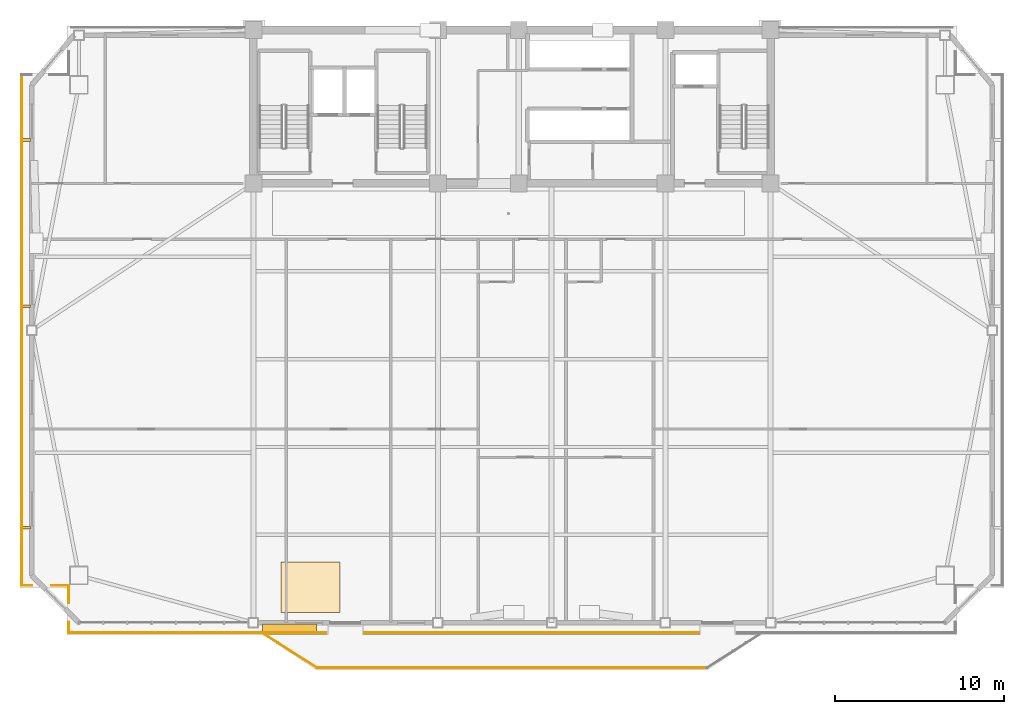
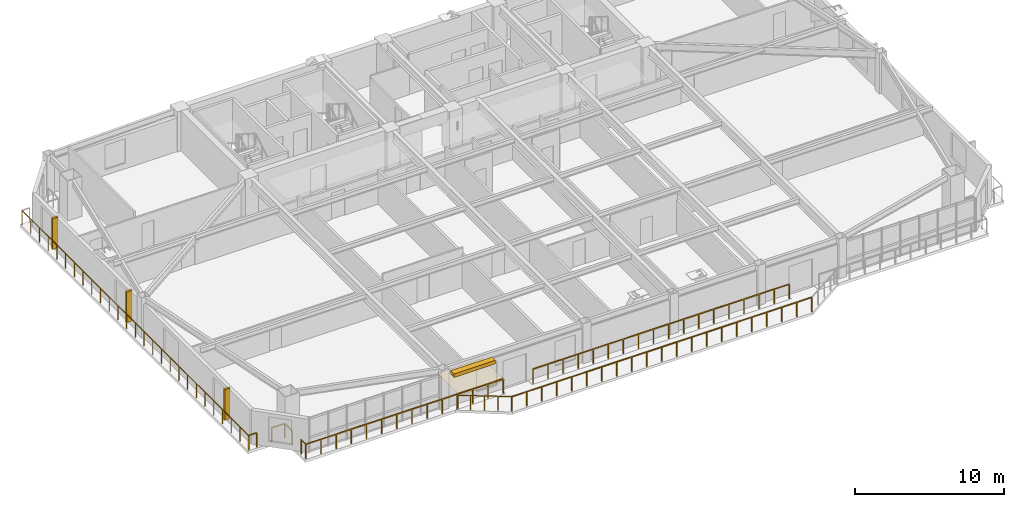
# One storey, part 13 of 17: 9 railings, 4 shading devices, 1 covering.
"""IFC4 building model written with IfcOpenShell, lengths in metres."""

import ifcopenshell
import ifcopenshell.guid

model = None  # the IFC model being written
_history = None  # IfcOwnerHistory: only IFC2X3 demands one
_inside = {}  # id of a spatial element -> (the spatial element, [elements in it])
_under = {}  # id of a project, library or spatial element -> (it, [spatial elements below it])
_declared = {}  # id of a project -> (the project, [libraries it declares])
_typed = {}  # id of a type object -> (the type object, [elements of that type])
_made_of = {}  # id of a material, layer set ... -> (it, [elements and type objects made of it])


def new_model(schema):
    """Start an empty IFC model of exactly this schema.

    Asked for "IFC4X3", IfcOpenShell would pick the latest addendum, in which some entities
    have other attributes; the version numbers below select the first issue.
    IFC2X3 requires an IfcOwnerHistory on every rooted entity: one is made here for all.
    """
    global model, _history
    if schema == "IFC4X3":
        model = ifcopenshell.file(schema_version=(4, 3, 0, 0))
    else:
        model = ifcopenshell.file(schema=schema)
    _inside.clear()
    _under.clear()
    _declared.clear()
    _typed.clear()
    _made_of.clear()
    _history = None
    if model.schema == "IFC2X3":
        org = make("IfcOrganization", Name="unknown")
        user = make(
            "IfcPersonAndOrganization",
            ThePerson=make("IfcPerson", FamilyName="unknown"),
            TheOrganization=org,
        )
        app = make(
            "IfcApplication",
            ApplicationDeveloper=org,
            Version="unknown",
            ApplicationFullName="unknown",
            ApplicationIdentifier="unknown",
        )
        _history = make(
            "IfcOwnerHistory",
            OwningUser=user,
            OwningApplication=app,
            ChangeAction="ADDED",
            CreationDate=0,
        )
    return model


def make(cls, **values):
    """One entity of the class cls with the attributes given. An attribute that is None is left unset."""
    return model.create_entity(
        cls, **{name: value for name, value in values.items() if value is not None}
    )


def rooted(cls, **values):
    """An entity with a GlobalId (a new one), such as an element, a storey or a relation."""
    return make(cls, GlobalId=ifcopenshell.guid.new(), OwnerHistory=_history, **values)


def si_unit(unit_type, name, prefix=None):
    """IfcSIUnit, for example si_unit("LENGTHUNIT", "METRE", prefix="MILLI")."""
    return make("IfcSIUnit", UnitType=unit_type, Prefix=prefix, Name=name)


def assignment(units):
    """IfcUnitAssignment: the units of a project."""
    return None if units is None else make("IfcUnitAssignment", Units=units)


def point(xyz):
    """IfcCartesianPoint."""
    return None if xyz is None else make("IfcCartesianPoint", Coordinates=xyz)


def direction(xyz):
    """IfcDirection."""
    return None if xyz is None else make("IfcDirection", DirectionRatios=xyz)


def frame(location, z_axis=None, x_axis=None):
    """IfcAxis2Placement3D, a coordinate frame: its origin and axes. An axis left out is left unset."""
    return make(
        "IfcAxis2Placement3D",
        Location=point(location),
        Axis=direction(z_axis),
        RefDirection=direction(x_axis),
    )


def frame_2d(location, x_axis=None):
    """IfcAxis2Placement2D, a coordinate frame in the plane: its origin and x axis."""
    return make(
        "IfcAxis2Placement2D", Location=point(location), RefDirection=direction(x_axis)
    )


def origin():
    """The frame at (0, 0, 0) with its axes left unset."""
    return frame((0.0, 0.0, 0.0))


def origin_2d():
    """The frame at (0, 0) in the plane with its x axis left unset."""
    return frame_2d((0.0, 0.0))


def place(relative_to, where):
    """IfcLocalPlacement: puts the frame where relative to a parent placement (None: the world)."""
    return make(
        "IfcLocalPlacement", PlacementRelTo=relative_to, RelativePlacement=where
    )


def context(
    kind, dimensions, precision=None, world=None, true_north=None, identifier=None
):
    """IfcGeometricRepresentationContext, for example the 3D "Model" context."""
    return make(
        "IfcGeometricRepresentationContext",
        ContextIdentifier=identifier,
        ContextType=kind,
        CoordinateSpaceDimension=dimensions,
        Precision=precision,
        WorldCoordinateSystem=world,
        TrueNorth=true_north,
    )


def subcontext(parent, identifier, kind, view, scale=None):
    """IfcGeometricRepresentationSubContext, for example "Body" below "Model"."""
    return make(
        "IfcGeometricRepresentationSubContext",
        ContextIdentifier=identifier,
        ContextType=kind,
        ParentContext=parent,
        TargetScale=scale,
        TargetView=view,
    )


def project(units=None, contexts=None):
    """IfcProject with its units and contexts."""
    return rooted(
        "IfcProject",
        Name="project",
        RepresentationContexts=contexts,
        UnitsInContext=assignment(units),
    )


def spatial(cls, under=None, at=None, **own):
    """A site, building, storey or space (cls), placed at a placement, below another one or the project."""
    s = rooted(cls, ObjectPlacement=at, **own)
    if under is not None:
        _under.setdefault(under.id(), (under, []))[1].append(s)
    return s


def polyline(points):
    """IfcPolyline through the points."""
    return make("IfcPolyline", Points=[point(p) for p in points])


def profile(cls, at=None, kind="AREA", **sizes):
    """A parametric profile (cls). Its sizes go by their IFC names, for example OverallWidth=200.0."""
    return make(cls, ProfileType=kind, Position=at, **sizes)


def rectangle(**sizes):
    """IfcRectangleProfileDef."""
    return profile("IfcRectangleProfileDef", **sizes)


def outline(outer, holes=None, kind="AREA"):
    """IfcArbitraryClosedProfileDef: a profile drawn as a closed curve; with holes, ...WithVoids."""
    if holes is None:
        return make("IfcArbitraryClosedProfileDef", ProfileType=kind, OuterCurve=outer)
    return make(
        "IfcArbitraryProfileDefWithVoids",
        ProfileType=kind,
        OuterCurve=outer,
        InnerCurves=holes,
    )


def extrude(swept, where, along, depth):
    """IfcExtrudedAreaSolid: the profile swept, set in the frame where, extruded along a direction by depth."""
    return make(
        "IfcExtrudedAreaSolid",
        SweptArea=swept,
        Position=where,
        ExtrudedDirection=direction(along),
        Depth=depth,
    )


def shape(context_of_items, identifier, shape_type, items):
    """IfcShapeRepresentation: the items that make up one representation, for example the "Body"."""
    return make(
        "IfcShapeRepresentation",
        ContextOfItems=context_of_items,
        RepresentationIdentifier=identifier,
        RepresentationType=shape_type,
        Items=items,
    )


def source(mapping_origin, context_of_items, identifier, shape_type, items):
    """IfcRepresentationMap: a shape defined once, which mapped items show again and again."""
    return make(
        "IfcRepresentationMap",
        MappingOrigin=mapping_origin,
        MappedRepresentation=shape(context_of_items, identifier, shape_type, items),
    )


def transform(
    local_origin,
    x_axis=None,
    y_axis=None,
    z_axis=None,
    scale=None,
    scale2=None,
    scale3=None,
    uniform=True,
):
    """IfcCartesianTransformationOperator3D, or its non-uniform kind. x_axis, y_axis, z_axis: its Axis1, 2, 3."""
    if uniform:
        return make(
            "IfcCartesianTransformationOperator3D",
            Axis1=direction(x_axis),
            Axis2=direction(y_axis),
            LocalOrigin=point(local_origin),
            Scale=scale,
            Axis3=direction(z_axis),
        )
    return make(
        "IfcCartesianTransformationOperator3DnonUniform",
        Axis1=direction(x_axis),
        Axis2=direction(y_axis),
        LocalOrigin=point(local_origin),
        Scale=scale,
        Axis3=direction(z_axis),
        Scale2=scale2,
        Scale3=scale3,
    )


def mapped(mapping_source, mapping_target):
    """IfcMappedItem: shows the shape of a source again, moved by a transform."""
    return make(
        "IfcMappedItem", MappingSource=mapping_source, MappingTarget=mapping_target
    )


def material(Name=None, Category=None):
    """IfcMaterial."""
    return make("IfcMaterial", Name=Name, Category=Category)


def layer(
    of_material, thickness, ventilated=None, Name=None, Category=None, Priority=None
):
    """IfcMaterialLayer: one layer of a wall or slab, of a material (None: an air gap)."""
    return make(
        "IfcMaterialLayer",
        Material=of_material,
        LayerThickness=thickness,
        IsVentilated=ventilated,
        Name=Name,
        Category=Category,
        Priority=Priority,
    )


def layer_set(layers, Name=None):
    """IfcMaterialLayerSet."""
    return make("IfcMaterialLayerSet", MaterialLayers=layers, LayerSetName=Name)


def made_of(thing, what):
    """Note that an element or type object is made of a material, layer set ...; save() writes the relation."""
    if what is not None:
        _made_of.setdefault(what.id(), (what, []))[1].append(thing)
    return thing


def type_object(cls, material=None, **own):
    """A type object (cls), such as IfcWallType, which elements share."""
    return made_of(rooted(cls, **own), material)


def element(
    cls,
    number,
    at=None,
    inside=None,
    cuts=None,
    type_object=None,
    material=None,
    context=None,
    identifier="Body",
    shape_type=None,
    held_by="IfcProductDefinitionShape",
    body=None,
    shapes=None,
    **own,
):
    """One element of the class cls, such as IfcWall. Its Tag is "e" and its number.

    at: its placement. inside: the storey or other place that contains it. cuts: it is an
    opening in that element (IfcRelVoidsElement). A single representation is given by context,
    identifier, shape_type and body (its items); several are given by shapes. held_by: the class
    of the entity that holds the representations. save() writes the other relations.
    """
    e = rooted(cls, Tag="e%d" % number, ObjectPlacement=at, **own)
    if body is not None:
        shapes = [shape(context, identifier, shape_type, body)]
    if shapes is not None:
        e.Representation = make(held_by, Representations=shapes)
    if inside is not None:
        _inside.setdefault(inside.id(), (inside, []))[1].append(e)
    if cuts is not None:
        rooted(
            "IfcRelVoidsElement", RelatingBuildingElement=cuts, RelatedOpeningElement=e
        )
    if type_object is not None:
        _typed.setdefault(type_object.id(), (type_object, []))[1].append(e)
    return made_of(e, material)


def aggregate(whole, parts):
    """IfcRelAggregates: a whole, such as a stair, and the parts it consists of."""
    return rooted("IfcRelAggregates", RelatingObject=whole, RelatedObjects=parts)


def save(model, path):
    """Write the relations noted so far, then the file.

    IfcRelAggregates (storeys below a building ...), IfcRelContainedInSpatialStructure (elements
    in a storey), IfcRelDefinesByType, IfcRelAssociatesMaterial and IfcRelDeclares: one each for
    every whole, place, type object, material and project.
    """
    for whole, parts in _under.values():
        aggregate(whole, parts)
    for where, things in _inside.values():
        rooted(
            "IfcRelContainedInSpatialStructure",
            RelatedElements=things,
            RelatingStructure=where,
        )
    for kind, things in _typed.values():
        rooted("IfcRelDefinesByType", RelatedObjects=things, RelatingType=kind)
    for what, things in _made_of.values():
        rooted("IfcRelAssociatesMaterial", RelatedObjects=things, RelatingMaterial=what)
    for by, libraries in _declared.values():
        rooted("IfcRelDeclares", RelatingContext=by, RelatedDefinitions=libraries)
    model.write(path)


model = new_model("IFC4")

# Units and contexts
model_context = context("Model", 3, precision=1e-05, world=origin(), true_north=direction((0.0, 1.0)))
body_context = subcontext(model_context, "Body", "Model", "MODEL_VIEW")
ifc_project = project(units=[si_unit("LENGTHUNIT", "METRE"), si_unit("AREAUNIT", "SQUARE_METRE"), si_unit("VOLUMEUNIT", "CUBIC_METRE"), si_unit("PLANEANGLEUNIT", "RADIAN"), si_unit("MASSUNIT", "GRAM", prefix="KILO")], contexts=[model_context])

# Site, building, storey
site_placement = place(None, origin())
site = spatial("IfcSite", under=ifc_project, at=site_placement, CompositionType="ELEMENT")
building_placement = place(site_placement, origin())
building = spatial("IfcBuilding", under=site, at=building_placement, Name="Giltprow Tower", CompositionType="ELEMENT")
storey_placement = place(building_placement, frame((0.0, 0.0, 206.199951171875)))
storey = spatial("IfcBuildingStorey", under=building, at=storey_placement, Name="L52", CompositionType="ELEMENT", Elevation=206.199951171875)

# Covering
ifc_material_1 = material(Name="Engineered oak", Category="wood")
ifc_layer = layer(ifc_material_1, 0.02490234375, Name="Engineered oak")
ifc_layer_set = layer_set([ifc_layer], Name="Engineered oak")
covering_type = type_object("IfcCoveringType", Name="COV-FLR-TIMBER", PredefinedType="FLOORING", material=ifc_layer_set)
covering_placement = place(storey_placement, origin())
element("IfcCovering", 1, at=covering_placement, inside=storey, type_object=covering_type, Name="L52 Engineered Oak Guestroom Flooring", PredefinedType="FLOORING", context=body_context, shape_type="SweptSolid", body=[
    extrude(outline(polyline([(21.5, 11.986083984375), (25.0, 11.986083984375), (25.0, 14.986083984375), (21.5, 14.986083984375), (21.5, 11.986083984375)])), origin(), (0.0, 0.0, 1.0), 0.025146484375),
])

# Railings
ifc_material_2 = material(Name="Anodized bronze", Category="metal")
railing_type = type_object("IfcRailingType", Name="RAIL-BALC-GUARD-1200", PredefinedType="BALUSTRADE", material=ifc_material_2)
railing_1_placement = place(storey_placement, frame((20.52001953125, 10.68603515625, 0.0)))
element("IfcRailing", 2, at=railing_1_placement, inside=storey, type_object=railing_type, Name="L52 Waterfront Balcony Balustrade Seg 1", PredefinedType="BALUSTRADE", context=body_context, shape_type="SweptSolid", body=[
    extrude(rectangle(XDim=0.048095703125, YDim=0.048095703125, at=origin_2d()), frame((0.0, 0.0, 1.17578125), z_axis=(0.84277487735, -0.538266203757, 0.0), x_axis=(0.538266203757, 0.84277487735, 0.0)), (0.0, 0.0, 1.0), 3.678466796875),
    extrude(rectangle(XDim=0.0419921875, YDim=0.0419921875, at=origin_2d()), origin(), (0.0, 0.0, 1.0), 1.15185546875),
    extrude(rectangle(XDim=0.0419921875, YDim=0.0419921875, at=origin_2d()), frame((0.77490234375, -0.4951171875, 0.0)), (0.0, 0.0, 1.0), 1.15185546875),
    extrude(rectangle(XDim=0.0419921875, YDim=0.0419921875, at=origin_2d()), frame((1.550048828125, -0.989990234375, 0.0)), (0.0, 0.0, 1.0), 1.15185546875),
    extrude(rectangle(XDim=0.0419921875, YDim=0.0419921875, at=origin_2d()), frame((2.3251953125, -1.48486328125, 0.0)), (0.0, 0.0, 1.0), 1.15185546875),
    extrude(rectangle(XDim=0.0419921875, YDim=0.0419921875, at=origin_2d()), frame((3.10009765625, -1.97998046875, 0.0)), (0.0, 0.0, 1.0), 1.15185546875),
])
railing_2_placement = place(storey_placement, frame((23.6201171875, 8.7060546875, 0.0)))
element("IfcRailing", 3, at=railing_2_placement, inside=storey, type_object=railing_type, Name="L52 Waterfront Balcony Balustrade Seg 2", PredefinedType="BALUSTRADE", context=body_context, shape_type="SweptSolid", body=[
    extrude(rectangle(XDim=0.048095703125, YDim=0.048095703125, at=origin_2d()), frame((0.0, 0.0, 1.17578125), z_axis=(1.0, 0.0, 0.0), x_axis=(0.0, 1.0, 0.0)), (0.0, 0.0, 1.0), 23.159912109375),
    extrude(rectangle(XDim=0.0419921875, YDim=0.0419921875, at=origin_2d()), origin(), (0.0, 0.0, 1.0), 1.15185546875),
    extrude(rectangle(XDim=0.0419921875, YDim=0.0419921875, at=origin_2d()), frame((1.157958984375, 0.0, 0.0)), (0.0, 0.0, 1.0), 1.15185546875),
    extrude(rectangle(XDim=0.0419921875, YDim=0.0419921875, at=origin_2d()), frame((2.31591796875, 0.0, 0.0)), (0.0, 0.0, 1.0), 1.15185546875),
    extrude(rectangle(XDim=0.0419921875, YDim=0.0419921875, at=origin_2d()), frame((3.473876953125, 0.0, 0.0)), (0.0, 0.0, 1.0), 1.15185546875),
    extrude(rectangle(XDim=0.0419921875, YDim=0.0419921875, at=origin_2d()), frame((4.632080078125, 0.0, 0.0)), (0.0, 0.0, 1.0), 1.15185546875),
    extrude(rectangle(XDim=0.0419921875, YDim=0.0419921875, at=origin_2d()), frame((5.7900390625, 0.0, 0.0)), (0.0, 0.0, 1.0), 1.15185546875),
    extrude(rectangle(XDim=0.0419921875, YDim=0.0419921875, at=origin_2d()), frame((6.947998046875, 0.0, 0.0)), (0.0, 0.0, 1.0), 1.15185546875),
    extrude(rectangle(XDim=0.0419921875, YDim=0.0419921875, at=origin_2d()), frame((8.10595703125, 0.0, 0.0)), (0.0, 0.0, 1.0), 1.15185546875),
    extrude(rectangle(XDim=0.0419921875, YDim=0.0419921875, at=origin_2d()), frame((9.263916015625, 0.0, 0.0)), (0.0, 0.0, 1.0), 1.15185546875),
    extrude(rectangle(XDim=0.0419921875, YDim=0.0419921875, at=origin_2d()), frame((10.421875, 0.0, 0.0)), (0.0, 0.0, 1.0), 1.15185546875),
    extrude(rectangle(XDim=0.0419921875, YDim=0.0419921875, at=origin_2d()), frame((11.580078125, 0.0, 0.0)), (0.0, 0.0, 1.0), 1.15185546875),
    extrude(rectangle(XDim=0.0419921875, YDim=0.0419921875, at=origin_2d()), frame((12.738037109375, 0.0, 0.0)), (0.0, 0.0, 1.0), 1.15185546875),
    extrude(rectangle(XDim=0.0419921875, YDim=0.0419921875, at=origin_2d()), frame((13.89599609375, 0.0, 0.0)), (0.0, 0.0, 1.0), 1.15185546875),
    extrude(rectangle(XDim=0.0419921875, YDim=0.0419921875, at=origin_2d()), frame((15.053955078125, 0.0, 0.0)), (0.0, 0.0, 1.0), 1.15185546875),
    extrude(rectangle(XDim=0.0419921875, YDim=0.0419921875, at=origin_2d()), frame((16.2119140625, 0.0, 0.0)), (0.0, 0.0, 1.0), 1.15185546875),
    extrude(rectangle(XDim=0.0419921875, YDim=0.0419921875, at=origin_2d()), frame((17.369873046875, 0.0, 0.0)), (0.0, 0.0, 1.0), 1.15185546875),
    extrude(rectangle(XDim=0.0419921875, YDim=0.0419921875, at=origin_2d()), frame((18.52783203125, 0.0, 0.0)), (0.0, 0.0, 1.0), 1.15185546875),
    extrude(rectangle(XDim=0.0419921875, YDim=0.0419921875, at=origin_2d()), frame((19.68603515625, 0.0, 0.0)), (0.0, 0.0, 1.0), 1.15185546875),
    extrude(rectangle(XDim=0.0419921875, YDim=0.0419921875, at=origin_2d()), frame((20.843994140625, 0.0, 0.0)), (0.0, 0.0, 1.0), 1.15185546875),
    extrude(rectangle(XDim=0.0419921875, YDim=0.0419921875, at=origin_2d()), frame((22.001953125, 0.0, 0.0)), (0.0, 0.0, 1.0), 1.15185546875),
    extrude(rectangle(XDim=0.0419921875, YDim=0.0419921875, at=origin_2d()), frame((23.159912109375, 0.0, 0.0)), (0.0, 0.0, 1.0), 1.15185546875),
])
railing_3_placement = place(storey_placement, frame((46.25, 10.785888671875, 0.0)))
element("IfcRailing", 4, at=railing_3_placement, inside=storey, type_object=railing_type, Name="L52 Corner Apron Edge Balustrade 7", PredefinedType="BALUSTRADE", context=body_context, shape_type="SweptSolid", body=[
    extrude(rectangle(XDim=0.048095703125, YDim=0.048095703125, at=origin_2d()), frame((0.0, 0.0, 1.17578125), z_axis=(-1.0, 0.0, 0.0), x_axis=(0.0, -1.0, 0.0)), (0.0, 0.0, 1.0), 19.800048828125),
    extrude(rectangle(XDim=0.0419921875, YDim=0.0419921875, at=origin_2d()), origin(), (0.0, 0.0, 1.0), 1.15185546875),
    extrude(rectangle(XDim=0.0419921875, YDim=0.0419921875, at=origin_2d()), frame((-1.164794921875, 0.0, 0.0)), (0.0, 0.0, 1.0), 1.15185546875),
    extrude(rectangle(XDim=0.0419921875, YDim=0.0419921875, at=origin_2d()), frame((-2.329345703125, 0.0, 0.0)), (0.0, 0.0, 1.0), 1.15185546875),
    extrude(rectangle(XDim=0.0419921875, YDim=0.0419921875, at=origin_2d()), frame((-3.494140625, 0.0, 0.0)), (0.0, 0.0, 1.0), 1.15185546875),
    extrude(rectangle(XDim=0.0419921875, YDim=0.0419921875, at=origin_2d()), frame((-4.658935546875, 0.0, 0.0)), (0.0, 0.0, 1.0), 1.15185546875),
    extrude(rectangle(XDim=0.0419921875, YDim=0.0419921875, at=origin_2d()), frame((-5.823486328125, 0.0, 0.0)), (0.0, 0.0, 1.0), 1.15185546875),
    extrude(rectangle(XDim=0.0419921875, YDim=0.0419921875, at=origin_2d()), frame((-6.98828125, 0.0, 0.0)), (0.0, 0.0, 1.0), 1.15185546875),
    extrude(rectangle(XDim=0.0419921875, YDim=0.0419921875, at=origin_2d()), frame((-8.153076171875, 0.0, 0.0)), (0.0, 0.0, 1.0), 1.15185546875),
    extrude(rectangle(XDim=0.0419921875, YDim=0.0419921875, at=origin_2d()), frame((-9.317626953125, 0.0, 0.0)), (0.0, 0.0, 1.0), 1.15185546875),
    extrude(rectangle(XDim=0.0419921875, YDim=0.0419921875, at=origin_2d()), frame((-10.482421875, 0.0, 0.0)), (0.0, 0.0, 1.0), 1.15185546875),
    extrude(rectangle(XDim=0.0419921875, YDim=0.0419921875, at=origin_2d()), frame((-11.64697265625, 0.0, 0.0)), (0.0, 0.0, 1.0), 1.15185546875),
    extrude(rectangle(XDim=0.0419921875, YDim=0.0419921875, at=origin_2d()), frame((-12.811767578125, 0.0, 0.0)), (0.0, 0.0, 1.0), 1.15185546875),
    extrude(rectangle(XDim=0.0419921875, YDim=0.0419921875, at=origin_2d()), frame((-13.9765625, 0.0, 0.0)), (0.0, 0.0, 1.0), 1.15185546875),
    extrude(rectangle(XDim=0.0419921875, YDim=0.0419921875, at=origin_2d()), frame((-15.14111328125, 0.0, 0.0)), (0.0, 0.0, 1.0), 1.15185546875),
    extrude(rectangle(XDim=0.0419921875, YDim=0.0419921875, at=origin_2d()), frame((-16.305908203125, 0.0, 0.0)), (0.0, 0.0, 1.0), 1.15185546875),
    extrude(rectangle(XDim=0.0419921875, YDim=0.0419921875, at=origin_2d()), frame((-17.470703125, 0.0, 0.0)), (0.0, 0.0, 1.0), 1.15185546875),
    extrude(rectangle(XDim=0.0419921875, YDim=0.0419921875, at=origin_2d()), frame((-18.63525390625, 0.0, 0.0)), (0.0, 0.0, 1.0), 1.15185546875),
    extrude(rectangle(XDim=0.0419921875, YDim=0.0419921875, at=origin_2d()), frame((-19.800048828125, 0.0, 0.0)), (0.0, 0.0, 1.0), 1.15185546875),
])
railing_4_placement = place(storey_placement, frame((24.14990234375, 10.785888671875, 0.0)))
element("IfcRailing", 5, at=railing_4_placement, inside=storey, type_object=railing_type, Name="L52 Corner Apron Edge Balustrade 8", PredefinedType="BALUSTRADE", context=body_context, shape_type="SweptSolid", body=[
    extrude(rectangle(XDim=0.048095703125, YDim=0.048095703125, at=origin_2d()), frame((0.0, 0.0, 1.17578125), z_axis=(-1.0, 0.0, 0.0), x_axis=(0.0, -1.0, 0.0)), (0.0, 0.0, 1.0), 15.246826171875),
    extrude(rectangle(XDim=0.0419921875, YDim=0.0419921875, at=origin_2d()), origin(), (0.0, 0.0, 1.0), 1.15185546875),
    extrude(rectangle(XDim=0.0419921875, YDim=0.0419921875, at=origin_2d()), frame((-1.1728515625, 0.0, 0.0)), (0.0, 0.0, 1.0), 1.15185546875),
    extrude(rectangle(XDim=0.0419921875, YDim=0.0419921875, at=origin_2d()), frame((-2.345703125, 0.0, 0.0)), (0.0, 0.0, 1.0), 1.15185546875),
    extrude(rectangle(XDim=0.0419921875, YDim=0.0419921875, at=origin_2d()), frame((-3.5185546875, 0.0, 0.0)), (0.0, 0.0, 1.0), 1.15185546875),
    extrude(rectangle(XDim=0.0419921875, YDim=0.0419921875, at=origin_2d()), frame((-4.69140625, 0.0, 0.0)), (0.0, 0.0, 1.0), 1.15185546875),
    extrude(rectangle(XDim=0.0419921875, YDim=0.0419921875, at=origin_2d()), frame((-5.8642578125, 0.0, 0.0)), (0.0, 0.0, 1.0), 1.15185546875),
    extrude(rectangle(XDim=0.0419921875, YDim=0.0419921875, at=origin_2d()), frame((-7.037109375, 0.0, 0.0)), (0.0, 0.0, 1.0), 1.15185546875),
    extrude(rectangle(XDim=0.0419921875, YDim=0.0419921875, at=origin_2d()), frame((-8.209716796875, 0.0, 0.0)), (0.0, 0.0, 1.0), 1.15185546875),
    extrude(rectangle(XDim=0.0419921875, YDim=0.0419921875, at=origin_2d()), frame((-9.382568359375, 0.0, 0.0)), (0.0, 0.0, 1.0), 1.15185546875),
    extrude(rectangle(XDim=0.0419921875, YDim=0.0419921875, at=origin_2d()), frame((-10.555419921875, 0.0, 0.0)), (0.0, 0.0, 1.0), 1.15185546875),
    extrude(rectangle(XDim=0.0419921875, YDim=0.0419921875, at=origin_2d()), frame((-11.728271484375, 0.0, 0.0)), (0.0, 0.0, 1.0), 1.15185546875),
    extrude(rectangle(XDim=0.0419921875, YDim=0.0419921875, at=origin_2d()), frame((-12.901123046875, 0.0, 0.0)), (0.0, 0.0, 1.0), 1.15185546875),
    extrude(rectangle(XDim=0.0419921875, YDim=0.0419921875, at=origin_2d()), frame((-14.073974609375, 0.0, 0.0)), (0.0, 0.0, 1.0), 1.15185546875),
    extrude(rectangle(XDim=0.0419921875, YDim=0.0419921875, at=origin_2d()), frame((-15.246826171875, 0.0, 0.0)), (0.0, 0.0, 1.0), 1.15185546875),
])
railing_5_placement = place(storey_placement, frame((8.903076171875, 10.785888671875, 0.0)))
element("IfcRailing", 6, at=railing_5_placement, inside=storey, type_object=railing_type, Name="L52 Corner Apron Edge Balustrade 9", PredefinedType="BALUSTRADE", context=body_context, shape_type="SweptSolid", body=[
    extrude(rectangle(XDim=0.048095703125, YDim=0.048095703125, at=origin_2d()), frame((0.0, 0.0, 1.17578125), z_axis=(0.0, 1.0, 0.0), x_axis=(-1.0, 0.0, 0.0)), (0.0, 0.0, 1.0), 0.6201171875),
    extrude(rectangle(XDim=0.0419921875, YDim=0.0419921875, at=origin_2d()), origin(), (0.0, 0.0, 1.0), 1.15185546875),
    extrude(rectangle(XDim=0.0419921875, YDim=0.0419921875, at=origin_2d()), frame((0.0, 0.6201171875, 0.0)), (0.0, 0.0, 1.0), 1.15185546875),
])
railing_6_placement = place(storey_placement, frame((8.903076171875, 12.56591796875, 0.0)))
element("IfcRailing", 7, at=railing_6_placement, inside=storey, type_object=railing_type, Name="L52 Corner Apron Edge Balustrade 10", PredefinedType="BALUSTRADE", context=body_context, shape_type="SweptSolid", body=[
    extrude(rectangle(XDim=0.048095703125, YDim=0.048095703125, at=origin_2d()), frame((0.0, 0.0, 1.17578125), z_axis=(0.0, 1.0, 0.0), x_axis=(-1.0, 0.0, 0.0)), (0.0, 0.0, 1.0), 1.02001953125),
    extrude(rectangle(XDim=0.0419921875, YDim=0.0419921875, at=origin_2d()), origin(), (0.0, 0.0, 1.0), 1.15185546875),
    extrude(rectangle(XDim=0.0419921875, YDim=0.0419921875, at=origin_2d()), frame((0.0, 1.02001953125, 0.0)), (0.0, 0.0, 1.0), 1.15185546875),
])
railing_7_placement = place(storey_placement, frame((8.903076171875, 13.5859375, 0.0)))
element("IfcRailing", 8, at=railing_7_placement, inside=storey, type_object=railing_type, Name="L52 Corner Apron Edge Balustrade 11", PredefinedType="BALUSTRADE", context=body_context, shape_type="SweptSolid", body=[
    extrude(rectangle(XDim=0.048095703125, YDim=0.048095703125, at=origin_2d()), frame((0.0, 0.0, 1.17578125), z_axis=(-1.0, 0.0, 0.0), x_axis=(0.0, -1.0, 0.0)), (0.0, 0.0, 1.0), 1.02001953125),
    extrude(rectangle(XDim=0.0419921875, YDim=0.0419921875, at=origin_2d()), origin(), (0.0, 0.0, 1.0), 1.15185546875),
    extrude(rectangle(XDim=0.0419921875, YDim=0.0419921875, at=origin_2d()), frame((-1.02001953125, 0.0, 0.0)), (0.0, 0.0, 1.0), 1.15185546875),
])
railing_8_placement = place(storey_placement, frame((6.722900390625, 13.5859375, 0.0)))
element("IfcRailing", 9, at=railing_8_placement, inside=storey, type_object=railing_type, Name="L52 Corner Apron Edge Balustrade 12", PredefinedType="BALUSTRADE", context=body_context, shape_type="SweptSolid", body=[
    extrude(rectangle(XDim=0.048095703125, YDim=0.048095703125, at=origin_2d()), frame((0.0, 0.0, 1.17578125), z_axis=(-1.0, 0.0, 0.0), x_axis=(0.0, -1.0, 0.0)), (0.0, 0.0, 1.0), 0.619873046875),
    extrude(rectangle(XDim=0.0419921875, YDim=0.0419921875, at=origin_2d()), origin(), (0.0, 0.0, 1.0), 1.15185546875),
    extrude(rectangle(XDim=0.0419921875, YDim=0.0419921875, at=origin_2d()), frame((-0.619873046875, 0.0, 0.0)), (0.0, 0.0, 1.0), 1.15185546875),
])
railing_9_placement = place(storey_placement, frame((6.10302734375, 13.5859375, 0.0)))
element("IfcRailing", 10, at=railing_9_placement, inside=storey, type_object=railing_type, Name="L52 Corner Apron Edge Balustrade 13", PredefinedType="BALUSTRADE", context=body_context, shape_type="SweptSolid", body=[
    extrude(rectangle(XDim=0.048095703125, YDim=0.048095703125, at=origin_2d()), frame((0.0, 0.0, 1.17578125), z_axis=(0.0, 1.0, 0.0), x_axis=(-1.0, 0.0, 0.0)), (0.0, 0.0, 1.0), 30.31396484375),
    extrude(rectangle(XDim=0.0419921875, YDim=0.0419921875, at=origin_2d()), origin(), (0.0, 0.0, 1.0), 1.15185546875),
    extrude(rectangle(XDim=0.0419921875, YDim=0.0419921875, at=origin_2d()), frame((0.0, 1.166015625, 0.0)), (0.0, 0.0, 1.0), 1.15185546875),
    extrude(rectangle(XDim=0.0419921875, YDim=0.0419921875, at=origin_2d()), frame((0.0, 2.331787109375, 0.0)), (0.0, 0.0, 1.0), 1.15185546875),
    extrude(rectangle(XDim=0.0419921875, YDim=0.0419921875, at=origin_2d()), frame((0.0, 3.497802734375, 0.0)), (0.0, 0.0, 1.0), 1.15185546875),
    extrude(rectangle(XDim=0.0419921875, YDim=0.0419921875, at=origin_2d()), frame((0.0, 4.66357421875, 0.0)), (0.0, 0.0, 1.0), 1.15185546875),
    extrude(rectangle(XDim=0.0419921875, YDim=0.0419921875, at=origin_2d()), frame((0.0, 5.82958984375, 0.0)), (0.0, 0.0, 1.0), 1.15185546875),
    extrude(rectangle(XDim=0.0419921875, YDim=0.0419921875, at=origin_2d()), frame((0.0, 6.99560546875, 0.0)), (0.0, 0.0, 1.0), 1.15185546875),
    extrude(rectangle(XDim=0.0419921875, YDim=0.0419921875, at=origin_2d()), frame((0.0, 8.161376953125, 0.0)), (0.0, 0.0, 1.0), 1.15185546875),
    extrude(rectangle(XDim=0.0419921875, YDim=0.0419921875, at=origin_2d()), frame((0.0, 9.327392578125, 0.0)), (0.0, 0.0, 1.0), 1.15185546875),
    extrude(rectangle(XDim=0.0419921875, YDim=0.0419921875, at=origin_2d()), frame((0.0, 10.493408203125, 0.0)), (0.0, 0.0, 1.0), 1.15185546875),
    extrude(rectangle(XDim=0.0419921875, YDim=0.0419921875, at=origin_2d()), frame((0.0, 11.6591796875, 0.0)), (0.0, 0.0, 1.0), 1.15185546875),
    extrude(rectangle(XDim=0.0419921875, YDim=0.0419921875, at=origin_2d()), frame((0.0, 12.8251953125, 0.0)), (0.0, 0.0, 1.0), 1.15185546875),
    extrude(rectangle(XDim=0.0419921875, YDim=0.0419921875, at=origin_2d()), frame((0.0, 13.990966796875, 0.0)), (0.0, 0.0, 1.0), 1.15185546875),
    extrude(rectangle(XDim=0.0419921875, YDim=0.0419921875, at=origin_2d()), frame((0.0, 15.156982421875, 0.0)), (0.0, 0.0, 1.0), 1.15185546875),
    extrude(rectangle(XDim=0.0419921875, YDim=0.0419921875, at=origin_2d()), frame((0.0, 16.322998046875, 0.0)), (0.0, 0.0, 1.0), 1.15185546875),
    extrude(rectangle(XDim=0.0419921875, YDim=0.0419921875, at=origin_2d()), frame((0.0, 17.48876953125, 0.0)), (0.0, 0.0, 1.0), 1.15185546875),
    extrude(rectangle(XDim=0.0419921875, YDim=0.0419921875, at=origin_2d()), frame((0.0, 18.65478515625, 0.0)), (0.0, 0.0, 1.0), 1.15185546875),
    extrude(rectangle(XDim=0.0419921875, YDim=0.0419921875, at=origin_2d()), frame((0.0, 19.820556640625, 0.0)), (0.0, 0.0, 1.0), 1.15185546875),
    extrude(rectangle(XDim=0.0419921875, YDim=0.0419921875, at=origin_2d()), frame((0.0, 20.986572265625, 0.0)), (0.0, 0.0, 1.0), 1.15185546875),
    extrude(rectangle(XDim=0.0419921875, YDim=0.0419921875, at=origin_2d()), frame((0.0, 22.152587890625, 0.0)), (0.0, 0.0, 1.0), 1.15185546875),
    extrude(rectangle(XDim=0.0419921875, YDim=0.0419921875, at=origin_2d()), frame((0.0, 23.318359375, 0.0)), (0.0, 0.0, 1.0), 1.15185546875),
    extrude(rectangle(XDim=0.0419921875, YDim=0.0419921875, at=origin_2d()), frame((0.0, 24.484375, 0.0)), (0.0, 0.0, 1.0), 1.15185546875),
    extrude(rectangle(XDim=0.0419921875, YDim=0.0419921875, at=origin_2d()), frame((0.0, 25.650390625, 0.0)), (0.0, 0.0, 1.0), 1.15185546875),
    extrude(rectangle(XDim=0.0419921875, YDim=0.0419921875, at=origin_2d()), frame((0.0, 26.816162109375, 0.0)), (0.0, 0.0, 1.0), 1.15185546875),
    extrude(rectangle(XDim=0.0419921875, YDim=0.0419921875, at=origin_2d()), frame((0.0, 27.982177734375, 0.0)), (0.0, 0.0, 1.0), 1.15185546875),
    extrude(rectangle(XDim=0.0419921875, YDim=0.0419921875, at=origin_2d()), frame((0.0, 29.14794921875, 0.0)), (0.0, 0.0, 1.0), 1.15185546875),
    extrude(rectangle(XDim=0.0419921875, YDim=0.0419921875, at=origin_2d()), frame((0.0, 30.31396484375, 0.0)), (0.0, 0.0, 1.0), 1.15185546875),
])

# Shading devices
shading_device_type_1 = type_object("IfcShadingDeviceType", Name="SHD-FIN-420", PredefinedType="USERDEFINED", material=ifc_material_2)
shared_shape_1 = source(origin(), body_context, "Body", "SweptSolid", [
    extrude(rectangle(XDim=0.419921875, YDim=0.159912109375, at=origin_2d()), origin(), (0.0, 0.0, 1.0), 2.5),
])
for number, where, z_axis, x_axis, name in (
    (11, (6.403076171875, 17.012939453125, 0.35009765625), (0.0, 0.0, 1.0), (1.0, 0.0, 0.0), "L52 W Bronze Vertical Fin 1-1"),
    (12, (6.403076171875, 30.154052734375, 0.35009765625), (0.0, 0.0, 1.0), (1.0, 0.0, 0.0), "L52 W Bronze Vertical Fin 2-1"),
    (13, (6.403076171875, 40.031982421875, 0.35009765625), (0.0, 0.0, 1.0), (1.0, 0.0, 0.0), "L52 W Bronze Vertical Fin 2-2"),
):
    element("IfcShadingDevice", number, at=place(storey_placement, frame(where, z_axis=z_axis, x_axis=x_axis)), inside=storey, type_object=shading_device_type_1, Name=name, ObjectType="FIN", PredefinedType="USERDEFINED", context=body_context, shape_type="MappedRepresentation", body=[
        mapped(shared_shape_1, transform((0.0, 0.0, 0.0), x_axis=(1.0, 0.0, 0.0), y_axis=(0.0, 1.0, 0.0), z_axis=(0.0, 0.0, 1.0), scale=1.0)),
    ])
shading_device_type_2 = type_object("IfcShadingDeviceType", Name="SHD-LOUVRE-320", PredefinedType="JALOUSIE", material=ifc_material_2)
shared_shape_2 = source(origin(), body_context, "Body", "SweptSolid", [
    extrude(rectangle(XDim=3.199951171875, YDim=0.449951171875, at=origin_2d()), origin(), (0.0, 0.0, 1.0), 0.280029296875),
])
shading_device_placement = place(storey_placement, frame((22.0, 11.0859375, 2.56005859375), z_axis=(0.0, 0.0, 1.0), x_axis=(1.0, 0.0, 0.0)))
element("IfcShadingDevice", 14, at=shading_device_placement, inside=storey, type_object=shading_device_type_2, Name="L52 Bronze Sunshade Louvre S-2", PredefinedType="JALOUSIE", context=body_context, shape_type="MappedRepresentation", body=[
    mapped(shared_shape_2, transform((0.0, 0.0, 0.0), x_axis=(1.0, 0.0, 0.0), y_axis=(0.0, 1.0, 0.0), z_axis=(0.0, 0.0, 1.0), scale=1.0)),
])

save(model, "model.ifc")
